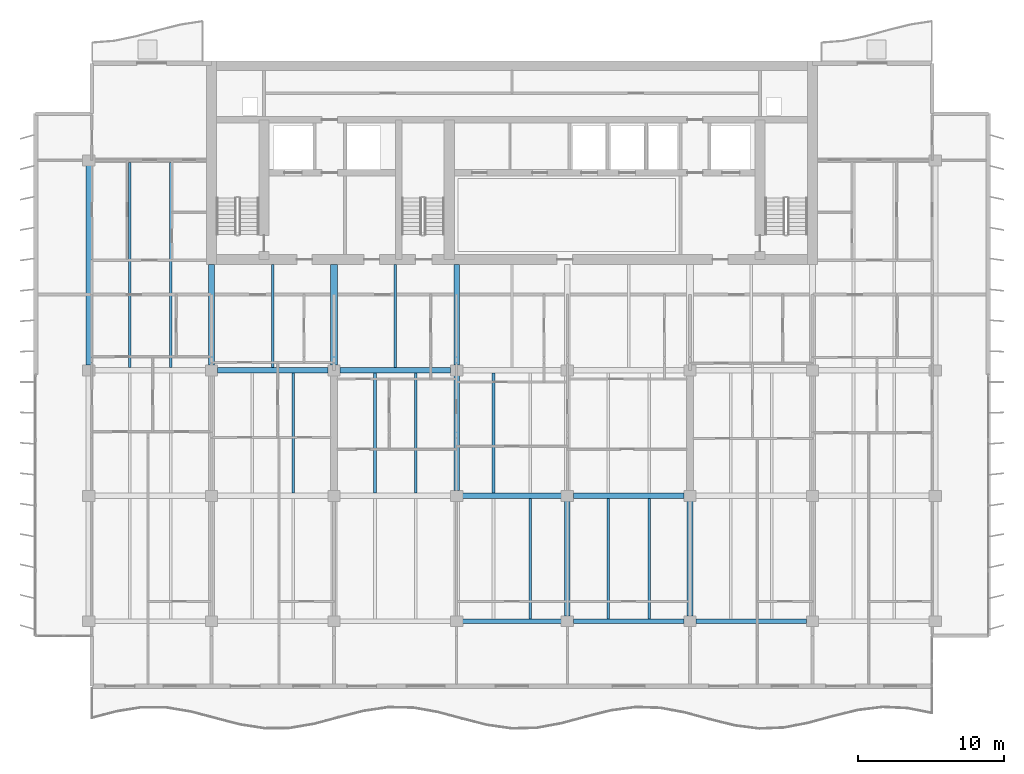
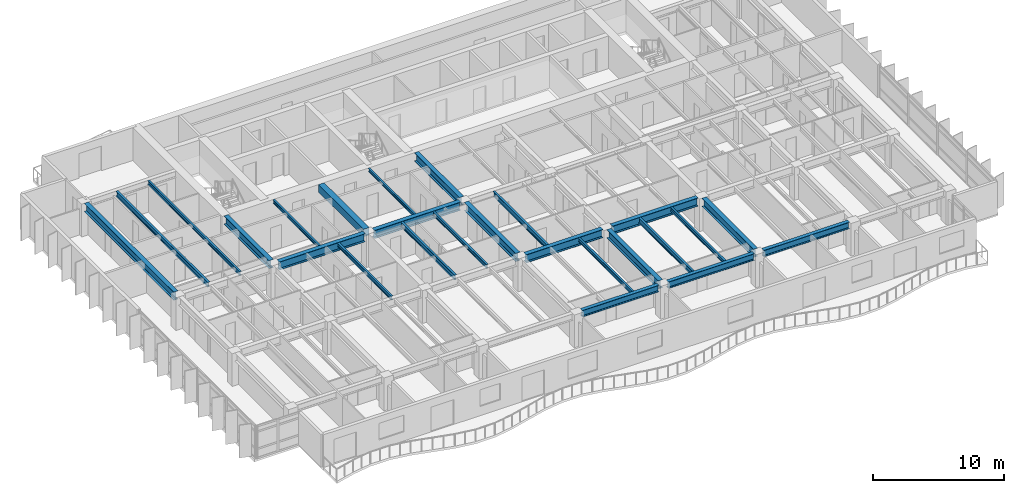
# One storey, part 3 of 18: 25 beams.
"""IFC4 building model written with IfcOpenShell, lengths in metres."""

import ifcopenshell
import ifcopenshell.guid

model = None  # the IFC model being written
_history = None  # IfcOwnerHistory: only IFC2X3 demands one
_inside = {}  # id of a spatial element -> (the spatial element, [elements in it])
_under = {}  # id of a project, library or spatial element -> (it, [spatial elements below it])
_declared = {}  # id of a project -> (the project, [libraries it declares])
_typed = {}  # id of a type object -> (the type object, [elements of that type])
_made_of = {}  # id of a material, layer set ... -> (it, [elements and type objects made of it])


def new_model(schema):
    """Start an empty IFC model of exactly this schema.

    Asked for "IFC4X3", IfcOpenShell would pick the latest addendum, in which some entities
    have other attributes; the version numbers below select the first issue.
    IFC2X3 requires an IfcOwnerHistory on every rooted entity: one is made here for all.
    """
    global model, _history
    if schema == "IFC4X3":
        model = ifcopenshell.file(schema_version=(4, 3, 0, 0))
    else:
        model = ifcopenshell.file(schema=schema)
    _inside.clear()
    _under.clear()
    _declared.clear()
    _typed.clear()
    _made_of.clear()
    _history = None
    if model.schema == "IFC2X3":
        org = make("IfcOrganization", Name="unknown")
        user = make(
            "IfcPersonAndOrganization",
            ThePerson=make("IfcPerson", FamilyName="unknown"),
            TheOrganization=org,
        )
        app = make(
            "IfcApplication",
            ApplicationDeveloper=org,
            Version="unknown",
            ApplicationFullName="unknown",
            ApplicationIdentifier="unknown",
        )
        _history = make(
            "IfcOwnerHistory",
            OwningUser=user,
            OwningApplication=app,
            ChangeAction="ADDED",
            CreationDate=0,
        )
    return model


def make(cls, **values):
    """One entity of the class cls with the attributes given. An attribute that is None is left unset."""
    return model.create_entity(
        cls, **{name: value for name, value in values.items() if value is not None}
    )


def rooted(cls, **values):
    """An entity with a GlobalId (a new one), such as an element, a storey or a relation."""
    return make(cls, GlobalId=ifcopenshell.guid.new(), OwnerHistory=_history, **values)


def si_unit(unit_type, name, prefix=None):
    """IfcSIUnit, for example si_unit("LENGTHUNIT", "METRE", prefix="MILLI")."""
    return make("IfcSIUnit", UnitType=unit_type, Prefix=prefix, Name=name)


def assignment(units):
    """IfcUnitAssignment: the units of a project."""
    return None if units is None else make("IfcUnitAssignment", Units=units)


def point(xyz):
    """IfcCartesianPoint."""
    return None if xyz is None else make("IfcCartesianPoint", Coordinates=xyz)


def direction(xyz):
    """IfcDirection."""
    return None if xyz is None else make("IfcDirection", DirectionRatios=xyz)


def frame(location, z_axis=None, x_axis=None):
    """IfcAxis2Placement3D, a coordinate frame: its origin and axes. An axis left out is left unset."""
    return make(
        "IfcAxis2Placement3D",
        Location=point(location),
        Axis=direction(z_axis),
        RefDirection=direction(x_axis),
    )


def frame_2d(location, x_axis=None):
    """IfcAxis2Placement2D, a coordinate frame in the plane: its origin and x axis."""
    return make(
        "IfcAxis2Placement2D", Location=point(location), RefDirection=direction(x_axis)
    )


def origin():
    """The frame at (0, 0, 0) with its axes left unset."""
    return frame((0.0, 0.0, 0.0))


def origin_2d():
    """The frame at (0, 0) in the plane with its x axis left unset."""
    return frame_2d((0.0, 0.0))


def place(relative_to, where):
    """IfcLocalPlacement: puts the frame where relative to a parent placement (None: the world)."""
    return make(
        "IfcLocalPlacement", PlacementRelTo=relative_to, RelativePlacement=where
    )


def context(
    kind, dimensions, precision=None, world=None, true_north=None, identifier=None
):
    """IfcGeometricRepresentationContext, for example the 3D "Model" context."""
    return make(
        "IfcGeometricRepresentationContext",
        ContextIdentifier=identifier,
        ContextType=kind,
        CoordinateSpaceDimension=dimensions,
        Precision=precision,
        WorldCoordinateSystem=world,
        TrueNorth=true_north,
    )


def subcontext(parent, identifier, kind, view, scale=None):
    """IfcGeometricRepresentationSubContext, for example "Body" below "Model"."""
    return make(
        "IfcGeometricRepresentationSubContext",
        ContextIdentifier=identifier,
        ContextType=kind,
        ParentContext=parent,
        TargetScale=scale,
        TargetView=view,
    )


def project(units=None, contexts=None):
    """IfcProject with its units and contexts."""
    return rooted(
        "IfcProject",
        Name="project",
        RepresentationContexts=contexts,
        UnitsInContext=assignment(units),
    )


def spatial(cls, under=None, at=None, **own):
    """A site, building, storey or space (cls), placed at a placement, below another one or the project."""
    s = rooted(cls, ObjectPlacement=at, **own)
    if under is not None:
        _under.setdefault(under.id(), (under, []))[1].append(s)
    return s


def profile(cls, at=None, kind="AREA", **sizes):
    """A parametric profile (cls). Its sizes go by their IFC names, for example OverallWidth=200.0."""
    return make(cls, ProfileType=kind, Position=at, **sizes)


def rectangle(**sizes):
    """IfcRectangleProfileDef."""
    return profile("IfcRectangleProfileDef", **sizes)


def i_section(**sizes):
    """IfcIShapeProfileDef."""
    return profile("IfcIShapeProfileDef", **sizes)


def extrude(swept, where, along, depth):
    """IfcExtrudedAreaSolid: the profile swept, set in the frame where, extruded along a direction by depth."""
    return make(
        "IfcExtrudedAreaSolid",
        SweptArea=swept,
        Position=where,
        ExtrudedDirection=direction(along),
        Depth=depth,
    )


def shape(context_of_items, identifier, shape_type, items):
    """IfcShapeRepresentation: the items that make up one representation, for example the "Body"."""
    return make(
        "IfcShapeRepresentation",
        ContextOfItems=context_of_items,
        RepresentationIdentifier=identifier,
        RepresentationType=shape_type,
        Items=items,
    )


def material(Name=None, Category=None):
    """IfcMaterial."""
    return make("IfcMaterial", Name=Name, Category=Category)


def material_profile(
    of_material, cross_section, Name=None, Category=None, Priority=None
):
    """IfcMaterialProfile: a cross section and its material."""
    return make(
        "IfcMaterialProfile",
        Name=Name,
        Material=of_material,
        Profile=cross_section,
        Priority=Priority,
        Category=Category,
    )


def profile_set(profiles, Name=None, composite=None):
    """IfcMaterialProfileSet."""
    return make(
        "IfcMaterialProfileSet",
        Name=Name,
        MaterialProfiles=profiles,
        CompositeProfile=composite,
    )


def made_of(thing, what):
    """Note that an element or type object is made of a material, layer set ...; save() writes the relation."""
    if what is not None:
        _made_of.setdefault(what.id(), (what, []))[1].append(thing)
    return thing


def type_object(cls, material=None, **own):
    """A type object (cls), such as IfcWallType, which elements share."""
    return made_of(rooted(cls, **own), material)


def element(
    cls,
    number,
    at=None,
    inside=None,
    cuts=None,
    type_object=None,
    material=None,
    context=None,
    identifier="Body",
    shape_type=None,
    held_by="IfcProductDefinitionShape",
    body=None,
    shapes=None,
    **own,
):
    """One element of the class cls, such as IfcWall. Its Tag is "e" and its number.

    at: its placement. inside: the storey or other place that contains it. cuts: it is an
    opening in that element (IfcRelVoidsElement). A single representation is given by context,
    identifier, shape_type and body (its items); several are given by shapes. held_by: the class
    of the entity that holds the representations. save() writes the other relations.
    """
    e = rooted(cls, Tag="e%d" % number, ObjectPlacement=at, **own)
    if body is not None:
        shapes = [shape(context, identifier, shape_type, body)]
    if shapes is not None:
        e.Representation = make(held_by, Representations=shapes)
    if inside is not None:
        _inside.setdefault(inside.id(), (inside, []))[1].append(e)
    if cuts is not None:
        rooted(
            "IfcRelVoidsElement", RelatingBuildingElement=cuts, RelatedOpeningElement=e
        )
    if type_object is not None:
        _typed.setdefault(type_object.id(), (type_object, []))[1].append(e)
    return made_of(e, material)


def aggregate(whole, parts):
    """IfcRelAggregates: a whole, such as a stair, and the parts it consists of."""
    return rooted("IfcRelAggregates", RelatingObject=whole, RelatedObjects=parts)


def save(model, path):
    """Write the relations noted so far, then the file.

    IfcRelAggregates (storeys below a building ...), IfcRelContainedInSpatialStructure (elements
    in a storey), IfcRelDefinesByType, IfcRelAssociatesMaterial and IfcRelDeclares: one each for
    every whole, place, type object, material and project.
    """
    for whole, parts in _under.values():
        aggregate(whole, parts)
    for where, things in _inside.values():
        rooted(
            "IfcRelContainedInSpatialStructure",
            RelatedElements=things,
            RelatingStructure=where,
        )
    for kind, things in _typed.values():
        rooted("IfcRelDefinesByType", RelatedObjects=things, RelatingType=kind)
    for what, things in _made_of.values():
        rooted("IfcRelAssociatesMaterial", RelatedObjects=things, RelatingMaterial=what)
    for by, libraries in _declared.values():
        rooted("IfcRelDeclares", RelatingContext=by, RelatedDefinitions=libraries)
    model.write(path)


model = new_model("IFC4")

# Units and contexts
model_context = context("Model", 3, precision=1e-05, world=origin(), true_north=direction((0.0, 1.0)))
body_context = subcontext(model_context, "Body", "Model", "MODEL_VIEW")
ifc_project = project(units=[si_unit("LENGTHUNIT", "METRE"), si_unit("AREAUNIT", "SQUARE_METRE"), si_unit("VOLUMEUNIT", "CUBIC_METRE"), si_unit("PLANEANGLEUNIT", "RADIAN"), si_unit("MASSUNIT", "GRAM", prefix="KILO")], contexts=[model_context])

# Site, building, storey
site_placement = place(None, origin())
site = spatial("IfcSite", under=ifc_project, at=site_placement, CompositionType="ELEMENT")
building_placement = place(site_placement, origin())
building = spatial("IfcBuilding", under=site, at=building_placement, Name="Caelmar Bay Residences", CompositionType="ELEMENT")
storey_placement = place(building_placement, frame((0.0, 0.0, 173.699951171875)))
storey = spatial("IfcBuildingStorey", under=building, at=storey_placement, Name="L48", CompositionType="ELEMENT", Elevation=173.699951171875)

# Beams
ifc_material_1 = material(Name="Steel ASTM A992 Grade 50", Category="steel")
ifc_material_profile_1 = material_profile(ifc_material_1, i_section(OverallWidth=0.381103515625, OverallDepth=0.77197265625, WebThickness=0.0166015625, FlangeThickness=0.027099609375, FilletRadius=0.0166015625, at=origin_2d()), Name="W30X173")
ifc_profile_set_1 = profile_set([ifc_material_profile_1], Name="Steel ASTM A992 Grade 50")
beam_type_1 = type_object("IfcBeamType", Name="BM-GRD-W30X173", PredefinedType="BEAM", material=ifc_profile_set_1)
beam_1_placement = place(storey_placement, frame((35.514892578125, 20.800048828125, 2.6640625), z_axis=(1.0, 0.0, 0.0), x_axis=(0.0, 1.0, 0.0)))
element("IfcBeam", 1, at=beam_1_placement, inside=storey, type_object=beam_type_1, Name="L48 East-West Girder Y=20.80 (35.1-42.7)", PredefinedType="BEAM", context=body_context, shape_type="SweptSolid", body=[
    extrude(i_section(OverallWidth=0.381103515625, OverallDepth=0.77197265625, WebThickness=0.0166015625, FlangeThickness=0.027099609375, FilletRadius=0.0166015625, at=origin_2d()), origin(), (0.0, 0.0, 1.0), 6.77001953125),
])
beam_2_placement = place(storey_placement, frame((43.114990234375, 20.800048828125, 2.6640625), z_axis=(1.0, 0.0, 0.0), x_axis=(0.0, 1.0, 0.0)))
element("IfcBeam", 2, at=beam_2_placement, inside=storey, type_object=beam_type_1, Name="L48 East-West Girder Y=20.80 (42.7-51.1)", PredefinedType="BEAM", context=body_context, shape_type="SweptSolid", body=[
    extrude(i_section(OverallWidth=0.381103515625, OverallDepth=0.77197265625, WebThickness=0.0166015625, FlangeThickness=0.027099609375, FilletRadius=0.0166015625, at=origin_2d()), origin(), (0.0, 0.0, 1.0), 7.570068359375),
])
beam_3_placement = place(storey_placement, frame((18.715087890625, 29.39990234375, 2.6640625), z_axis=(1.0, 0.0, 0.0), x_axis=(0.0, 1.0, 0.0)))
element("IfcBeam", 3, at=beam_3_placement, inside=storey, type_object=beam_type_1, Name="L48 East-West Girder Y=29.40 (18.3-26.7)", PredefinedType="BEAM", context=body_context, shape_type="SweptSolid", body=[
    extrude(i_section(OverallWidth=0.381103515625, OverallDepth=0.77197265625, WebThickness=0.0166015625, FlangeThickness=0.027099609375, FilletRadius=0.0166015625, at=origin_2d()), origin(), (0.0, 0.0, 1.0), 7.56982421875),
])
beam_4_placement = place(storey_placement, frame((27.114990234375, 29.39990234375, 2.6640625), z_axis=(1.0, 0.0, 0.0), x_axis=(0.0, 1.0, 0.0)))
element("IfcBeam", 4, at=beam_4_placement, inside=storey, type_object=beam_type_1, Name="L48 East-West Girder Y=29.40 (26.7-35.1)", PredefinedType="BEAM", context=body_context, shape_type="SweptSolid", body=[
    extrude(i_section(OverallWidth=0.381103515625, OverallDepth=0.77197265625, WebThickness=0.0166015625, FlangeThickness=0.027099609375, FilletRadius=0.0166015625, at=origin_2d()), origin(), (0.0, 0.0, 1.0), 7.570068359375),
])
beam_5_placement = place(storey_placement, frame((9.89990234375, 29.764892578125, 2.6640625), z_axis=(0.0, 1.0, 0.0), x_axis=(-1.0, 0.0, 0.0)))
element("IfcBeam", 5, at=beam_5_placement, inside=storey, type_object=beam_type_1, Name="L48 North-South Girder X=9.90 (29.4-43.8)", PredefinedType="BEAM", context=body_context, shape_type="SweptSolid", body=[
    extrude(i_section(OverallWidth=0.381103515625, OverallDepth=0.77197265625, WebThickness=0.0166015625, FlangeThickness=0.027099609375, FilletRadius=0.0166015625, at=origin_2d()), origin(), (0.0, 0.0, 1.0), 13.670166015625),
])
for number, where, z_axis, x_axis, name in (
    (6, (18.300048828125, 29.764892578125, 2.6640625), (0.0, 1.0, 0.0), (-1.0, 0.0, 0.0), "L48 Core Tie Girder X=18.30"),
    (7, (35.10009765625, 29.764892578125, 2.6640625), (0.0, 1.0, 0.0), (-1.0, 0.0, 0.0), "L48 Core Tie Girder X=35.10"),
):
    element("IfcBeam", number, at=place(storey_placement, frame(where, z_axis=z_axis, x_axis=x_axis)), inside=storey, type_object=beam_type_1, Name=name, PredefinedType="BEAM", context=body_context, shape_type="SweptSolid", body=[
        extrude(i_section(OverallWidth=0.381103515625, OverallDepth=0.77197265625, WebThickness=0.0166015625, FlangeThickness=0.027099609375, FilletRadius=0.0166015625, at=origin_2d()), origin(), (0.0, 0.0, 1.0), 6.885009765625),
    ])
beam_6_placement = place(storey_placement, frame((35.10009765625, 21.1650390625, 2.6640625), z_axis=(0.0, 1.0, 0.0), x_axis=(-1.0, 0.0, 0.0)))
element("IfcBeam", 8, at=beam_6_placement, inside=storey, type_object=beam_type_1, Name="L48 North-South Girder X=35.10 (20.8-29.4)", PredefinedType="BEAM", context=body_context, shape_type="SweptSolid", body=[
    extrude(i_section(OverallWidth=0.381103515625, OverallDepth=0.77197265625, WebThickness=0.0166015625, FlangeThickness=0.027099609375, FilletRadius=0.0166015625, at=origin_2d()), origin(), (0.0, 0.0, 1.0), 7.869873046875),
])
for number, where, z_axis, x_axis, name in (
    (9, (42.699951171875, 12.56494140625, 2.6640625), (0.0, 1.0, 0.0), (-1.0, 0.0, 0.0), "L48 North-South Girder X=42.70 (12.2-20.8)"),
    (10, (51.10009765625, 12.56494140625, 2.6640625), (0.0, 1.0, 0.0), (-1.0, 0.0, 0.0), "L48 North-South Girder X=51.10 (12.2-20.8)"),
):
    element("IfcBeam", number, at=place(storey_placement, frame(where, z_axis=z_axis, x_axis=x_axis)), inside=storey, type_object=beam_type_1, Name=name, PredefinedType="BEAM", context=body_context, shape_type="SweptSolid", body=[
        extrude(i_section(OverallWidth=0.381103515625, OverallDepth=0.77197265625, WebThickness=0.0166015625, FlangeThickness=0.027099609375, FilletRadius=0.0166015625, at=origin_2d()), origin(), (0.0, 0.0, 1.0), 7.8701171875),
    ])
ifc_material_profile_2 = material_profile(ifc_material_1, i_section(OverallWidth=0.1650390625, OverallDepth=0.31005859375, WebThickness=0.005859375, FlangeThickness=0.009765625, FilletRadius=0.007568359375, at=origin_2d()), Name="W12X26")
ifc_profile_set_2 = profile_set([ifc_material_profile_2], Name="Steel ASTM A992 Grade 50")
beam_type_2 = type_object("IfcBeamType", Name="BM-JST-W12X26", PredefinedType="JOIST", material=ifc_profile_set_2)
for number, where, z_axis, x_axis, name in (
    (11, (22.5, 29.590576171875, 2.89501953125), (0.0, 1.0, 0.0), (-1.0, 0.0, 0.0), "L48 Core-Band Composite Joist 29"),
    (12, (30.89990234375, 29.590576171875, 2.89501953125), (0.0, 1.0, 0.0), (-1.0, 0.0, 0.0), "L48 Core-Band Composite Joist 30"),
):
    element("IfcBeam", number, at=place(storey_placement, frame(where, z_axis=z_axis, x_axis=x_axis)), inside=storey, type_object=beam_type_2, Name=name, PredefinedType="JOIST", context=body_context, shape_type="SweptSolid", body=[
        extrude(i_section(OverallWidth=0.1650390625, OverallDepth=0.31005859375, WebThickness=0.005859375, FlangeThickness=0.009765625, FilletRadius=0.007568359375, at=origin_2d()), origin(), (0.0, 0.0, 1.0), 7.059326171875),
    ])
ifc_material_profile_3 = material_profile(ifc_material_1, i_section(OverallWidth=0.1708984375, OverallDepth=0.35595703125, WebThickness=0.007080078125, FlangeThickness=0.01171875, FilletRadius=0.007568359375, at=origin_2d()), Name="W14X34")
ifc_profile_set_3 = profile_set([ifc_material_profile_3], Name="Steel ASTM A992 Grade 50")
beam_type_3 = type_object("IfcBeamType", Name="BM-JST-W14X34", PredefinedType="JOIST", material=ifc_profile_set_3)
for number, where, z_axis, x_axis, name in (
    (13, (40.166748046875, 12.362548828125, 2.8720703125), (0.0, 1.0, 0.0), (-1.0, 0.0, 0.0), "L48 Composite Floor Joist 8"),
    (14, (48.300048828125, 12.362548828125, 2.8720703125), (0.0, 1.0, 0.0), (-1.0, 0.0, 0.0), "L48 Composite Floor Joist 10"),
):
    element("IfcBeam", number, at=place(storey_placement, frame(where, z_axis=z_axis, x_axis=x_axis)), inside=storey, type_object=beam_type_3, Name=name, PredefinedType="JOIST", context=body_context, shape_type="SweptSolid", body=[
        extrude(i_section(OverallWidth=0.1708984375, OverallDepth=0.35595703125, WebThickness=0.007080078125, FlangeThickness=0.01171875, FilletRadius=0.007568359375, at=origin_2d()), origin(), (0.0, 0.0, 1.0), 8.2470703125),
    ])
for number, where, z_axis, x_axis, name in (
    (15, (23.89990234375, 20.990478515625, 2.8720703125), (0.0, 1.0, 0.0), (-1.0, 0.0, 0.0), "L48 Composite Floor Joist 18"),
    (16, (32.300048828125, 20.990478515625, 2.8720703125), (0.0, 1.0, 0.0), (-1.0, 0.0, 0.0), "L48 Composite Floor Joist 20"),
):
    element("IfcBeam", number, at=place(storey_placement, frame(where, z_axis=z_axis, x_axis=x_axis)), inside=storey, type_object=beam_type_3, Name=name, PredefinedType="JOIST", context=body_context, shape_type="SweptSolid", body=[
        extrude(i_section(OverallWidth=0.1708984375, OverallDepth=0.35595703125, WebThickness=0.007080078125, FlangeThickness=0.01171875, FilletRadius=0.007568359375, at=origin_2d()), origin(), (0.0, 0.0, 1.0), 8.218994140625),
    ])
beam_7_placement = place(storey_placement, frame((15.5, 29.590576171875, 2.8720703125), z_axis=(0.0, 1.0, 0.0), x_axis=(-1.0, 0.0, 0.0)))
element("IfcBeam", 17, at=beam_7_placement, inside=storey, type_object=beam_type_3, Name="L48 Composite Floor Joist 35", PredefinedType="JOIST", context=body_context, shape_type="SweptSolid", body=[
    extrude(i_section(OverallWidth=0.1708984375, OverallDepth=0.35595703125, WebThickness=0.007080078125, FlangeThickness=0.01171875, FilletRadius=0.007568359375, at=origin_2d()), origin(), (0.0, 0.0, 1.0), 14.046875),
])
ifc_material_profile_4 = material_profile(ifc_material_1, i_section(OverallWidth=0.19091796875, OverallDepth=0.45703125, WebThickness=0.009033203125, FlangeThickness=0.014404296875, FilletRadius=0.01025390625, at=origin_2d()), Name="W18X50")
ifc_profile_set_4 = profile_set([ifc_material_profile_4], Name="Steel ASTM A992 Grade 50")
beam_type_4 = type_object("IfcBeamType", Name="BM-JST-W18X50", PredefinedType="JOIST", material=ifc_profile_set_4)
beam_8_placement = place(storey_placement, frame((45.5, 12.362548828125, 2.821533203125), z_axis=(0.0, 1.0, 0.0), x_axis=(-1.0, 0.0, 0.0)))
element("IfcBeam", 18, at=beam_8_placement, inside=storey, type_object=beam_type_4, Name="L48 Composite Floor Joist 9", PredefinedType="JOIST", context=body_context, shape_type="SweptSolid", body=[
    extrude(i_section(OverallWidth=0.19091796875, OverallDepth=0.45703125, WebThickness=0.009033203125, FlangeThickness=0.014404296875, FilletRadius=0.01025390625, at=origin_2d()), origin(), (0.0, 0.0, 1.0), 8.2470703125),
])
for number, where, z_axis, x_axis, name in (
    (19, (29.5, 20.990478515625, 2.821533203125), (0.0, 1.0, 0.0), (-1.0, 0.0, 0.0), "L48 Composite Floor Joist 19"),
    (20, (37.63330078125, 20.990478515625, 2.821533203125), (0.0, 1.0, 0.0), (-1.0, 0.0, 0.0), "L48 Composite Floor Joist 21"),
):
    element("IfcBeam", number, at=place(storey_placement, frame(where, z_axis=z_axis, x_axis=x_axis)), inside=storey, type_object=beam_type_4, Name=name, PredefinedType="JOIST", context=body_context, shape_type="SweptSolid", body=[
        extrude(i_section(OverallWidth=0.19091796875, OverallDepth=0.45703125, WebThickness=0.009033203125, FlangeThickness=0.014404296875, FilletRadius=0.01025390625, at=origin_2d()), origin(), (0.0, 0.0, 1.0), 8.218994140625),
    ])
beam_9_placement = place(storey_placement, frame((12.699951171875, 29.590576171875, 2.821533203125), z_axis=(0.0, 1.0, 0.0), x_axis=(-1.0, 0.0, 0.0)))
element("IfcBeam", 21, at=beam_9_placement, inside=storey, type_object=beam_type_4, Name="L48 Composite Floor Joist 34", PredefinedType="JOIST", context=body_context, shape_type="SweptSolid", body=[
    extrude(i_section(OverallWidth=0.19091796875, OverallDepth=0.45703125, WebThickness=0.009033203125, FlangeThickness=0.014404296875, FilletRadius=0.01025390625, at=origin_2d()), origin(), (0.0, 0.0, 1.0), 14.046875),
])
ifc_material_2 = material(Name="Concrete f'c 55 MPa (8,000 psi)", Category="concrete")
ifc_material_profile_5 = material_profile(ifc_material_2, rectangle(XDim=0.5, YDim=0.699951171875, at=origin_2d()), Name="RC-BM-500X700")
ifc_profile_set_5 = profile_set([ifc_material_profile_5], Name="Concrete f'c 55 MPa (8,000 psi)")
beam_type_5 = type_object("IfcBeamType", Name="BM-RC-500X700", PredefinedType="LINTEL", material=ifc_profile_set_5)
beam_10_placement = place(storey_placement, frame((26.699951171875, 29.764892578125, 2.699951171875), z_axis=(0.0, 1.0, 0.0), x_axis=(-1.0, 0.0, 0.0)))
element("IfcBeam", 22, at=beam_10_placement, inside=storey, type_object=beam_type_5, Name="L48 Shear-Wall Corridor Coupling Lintel W5", PredefinedType="LINTEL", context=body_context, shape_type="SweptSolid", body=[
    extrude(rectangle(XDim=0.5, YDim=0.699951171875, at=origin_2d()), origin(), (0.0, 0.0, 1.0), 6.885009765625),
])
ifc_material_profile_6 = material_profile(ifc_material_1, i_section(OverallWidth=0.324951171875, OverallDepth=0.616943359375, WebThickness=0.013916015625, FlangeThickness=0.021484375, FilletRadius=0.0126953125, at=origin_2d()), Name="W24X117")
ifc_profile_set_6 = profile_set([ifc_material_profile_6], Name="Steel ASTM A992 Grade 50")
beam_type_6 = type_object("IfcBeamType", Name="BM-SPN-W24X117", PredefinedType="SPANDREL", material=ifc_profile_set_6)
beam_11_placement = place(storey_placement, frame((35.514892578125, 12.199951171875, 2.741455078125), z_axis=(1.0, 0.0, 0.0), x_axis=(0.0, 1.0, 0.0)))
element("IfcBeam", 23, at=beam_11_placement, inside=storey, type_object=beam_type_6, Name="L48 East-West Girder Y=12.20 (35.1-42.7)", PredefinedType="SPANDREL", context=body_context, shape_type="SweptSolid", body=[
    extrude(i_section(OverallWidth=0.324951171875, OverallDepth=0.616943359375, WebThickness=0.013916015625, FlangeThickness=0.021484375, FilletRadius=0.0126953125, at=origin_2d()), origin(), (0.0, 0.0, 1.0), 6.77001953125),
])
for number, where, z_axis, x_axis, name in (
    (24, (43.114990234375, 12.199951171875, 2.741455078125), (1.0, 0.0, 0.0), (0.0, 1.0, 0.0), "L48 East-West Girder Y=12.20 (42.7-51.1)"),
    (25, (51.514892578125, 12.199951171875, 2.741455078125), (1.0, 0.0, 0.0), (0.0, 1.0, 0.0), "L48 East-West Girder Y=12.20 (51.1-59.5)"),
):
    element("IfcBeam", number, at=place(storey_placement, frame(where, z_axis=z_axis, x_axis=x_axis)), inside=storey, type_object=beam_type_6, Name=name, PredefinedType="SPANDREL", context=body_context, shape_type="SweptSolid", body=[
        extrude(i_section(OverallWidth=0.324951171875, OverallDepth=0.616943359375, WebThickness=0.013916015625, FlangeThickness=0.021484375, FilletRadius=0.0126953125, at=origin_2d()), origin(), (0.0, 0.0, 1.0), 7.570068359375),
    ])

save(model, "model.ifc")
